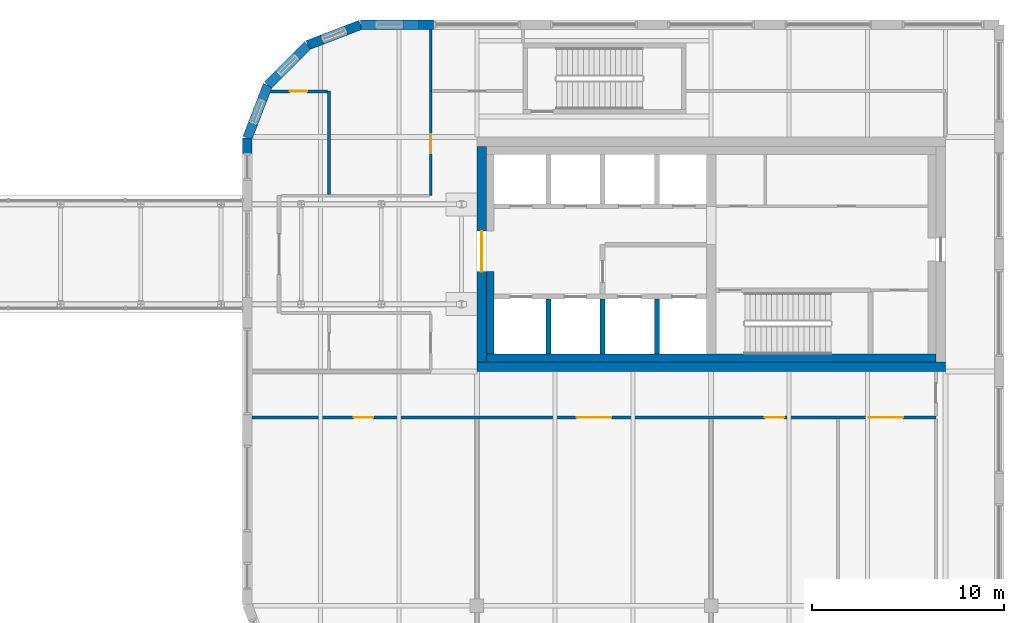
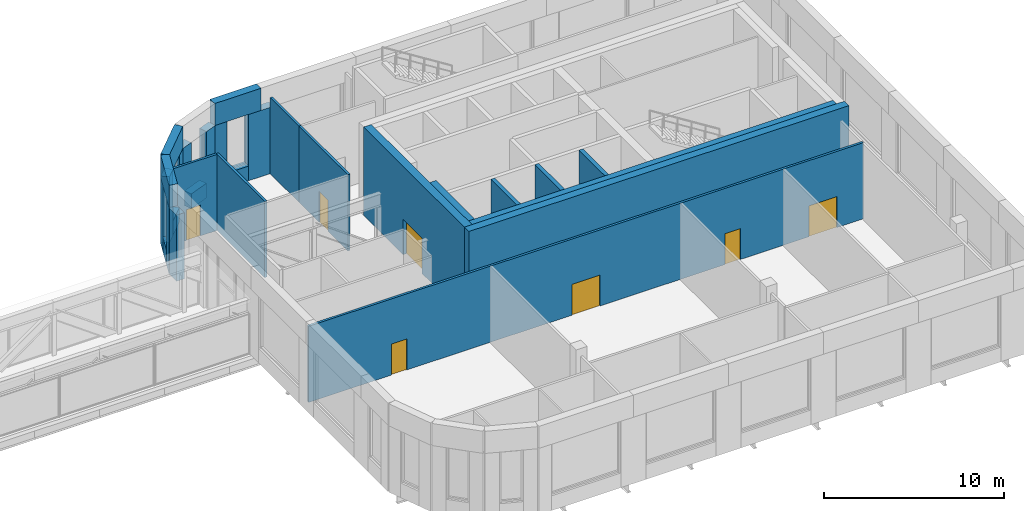
# One storey, part 28 of 36: 28 walls, 7 doors, 7 openings.
"""IFC4 building model written with IfcOpenShell, lengths in metres."""

import ifcopenshell
import ifcopenshell.guid

model = None  # the IFC model being written
_history = None  # IfcOwnerHistory: only IFC2X3 demands one
_inside = {}  # id of a spatial element -> (the spatial element, [elements in it])
_under = {}  # id of a project, library or spatial element -> (it, [spatial elements below it])
_declared = {}  # id of a project -> (the project, [libraries it declares])
_typed = {}  # id of a type object -> (the type object, [elements of that type])
_made_of = {}  # id of a material, layer set ... -> (it, [elements and type objects made of it])


def new_model(schema):
    """Start an empty IFC model of exactly this schema.

    Asked for "IFC4X3", IfcOpenShell would pick the latest addendum, in which some entities
    have other attributes; the version numbers below select the first issue.
    IFC2X3 requires an IfcOwnerHistory on every rooted entity: one is made here for all.
    """
    global model, _history
    if schema == "IFC4X3":
        model = ifcopenshell.file(schema_version=(4, 3, 0, 0))
    else:
        model = ifcopenshell.file(schema=schema)
    _inside.clear()
    _under.clear()
    _declared.clear()
    _typed.clear()
    _made_of.clear()
    _history = None
    if model.schema == "IFC2X3":
        org = make("IfcOrganization", Name="unknown")
        user = make(
            "IfcPersonAndOrganization",
            ThePerson=make("IfcPerson", FamilyName="unknown"),
            TheOrganization=org,
        )
        app = make(
            "IfcApplication",
            ApplicationDeveloper=org,
            Version="unknown",
            ApplicationFullName="unknown",
            ApplicationIdentifier="unknown",
        )
        _history = make(
            "IfcOwnerHistory",
            OwningUser=user,
            OwningApplication=app,
            ChangeAction="ADDED",
            CreationDate=0,
        )
    return model


def make(cls, **values):
    """One entity of the class cls with the attributes given. An attribute that is None is left unset."""
    return model.create_entity(
        cls, **{name: value for name, value in values.items() if value is not None}
    )


def rooted(cls, **values):
    """An entity with a GlobalId (a new one), such as an element, a storey or a relation."""
    return make(cls, GlobalId=ifcopenshell.guid.new(), OwnerHistory=_history, **values)


def si_unit(unit_type, name, prefix=None):
    """IfcSIUnit, for example si_unit("LENGTHUNIT", "METRE", prefix="MILLI")."""
    return make("IfcSIUnit", UnitType=unit_type, Prefix=prefix, Name=name)


def assignment(units):
    """IfcUnitAssignment: the units of a project."""
    return None if units is None else make("IfcUnitAssignment", Units=units)


def point(xyz):
    """IfcCartesianPoint."""
    return None if xyz is None else make("IfcCartesianPoint", Coordinates=xyz)


def direction(xyz):
    """IfcDirection."""
    return None if xyz is None else make("IfcDirection", DirectionRatios=xyz)


def frame(location, z_axis=None, x_axis=None):
    """IfcAxis2Placement3D, a coordinate frame: its origin and axes. An axis left out is left unset."""
    return make(
        "IfcAxis2Placement3D",
        Location=point(location),
        Axis=direction(z_axis),
        RefDirection=direction(x_axis),
    )


def frame_2d(location, x_axis=None):
    """IfcAxis2Placement2D, a coordinate frame in the plane: its origin and x axis."""
    return make(
        "IfcAxis2Placement2D", Location=point(location), RefDirection=direction(x_axis)
    )


def origin():
    """The frame at (0, 0, 0) with its axes left unset."""
    return frame((0.0, 0.0, 0.0))


def place(relative_to, where):
    """IfcLocalPlacement: puts the frame where relative to a parent placement (None: the world)."""
    return make(
        "IfcLocalPlacement", PlacementRelTo=relative_to, RelativePlacement=where
    )


def context(
    kind, dimensions, precision=None, world=None, true_north=None, identifier=None
):
    """IfcGeometricRepresentationContext, for example the 3D "Model" context."""
    return make(
        "IfcGeometricRepresentationContext",
        ContextIdentifier=identifier,
        ContextType=kind,
        CoordinateSpaceDimension=dimensions,
        Precision=precision,
        WorldCoordinateSystem=world,
        TrueNorth=true_north,
    )


def subcontext(parent, identifier, kind, view, scale=None):
    """IfcGeometricRepresentationSubContext, for example "Body" below "Model"."""
    return make(
        "IfcGeometricRepresentationSubContext",
        ContextIdentifier=identifier,
        ContextType=kind,
        ParentContext=parent,
        TargetScale=scale,
        TargetView=view,
    )


def project(units=None, contexts=None):
    """IfcProject with its units and contexts."""
    return rooted(
        "IfcProject",
        Name="project",
        RepresentationContexts=contexts,
        UnitsInContext=assignment(units),
    )


def spatial(cls, under=None, at=None, **own):
    """A site, building, storey or space (cls), placed at a placement, below another one or the project."""
    s = rooted(cls, ObjectPlacement=at, **own)
    if under is not None:
        _under.setdefault(under.id(), (under, []))[1].append(s)
    return s


def polyline(points):
    """IfcPolyline through the points."""
    return make("IfcPolyline", Points=[point(p) for p in points])


def profile(cls, at=None, kind="AREA", **sizes):
    """A parametric profile (cls). Its sizes go by their IFC names, for example OverallWidth=200.0."""
    return make(cls, ProfileType=kind, Position=at, **sizes)


def rectangle(**sizes):
    """IfcRectangleProfileDef."""
    return profile("IfcRectangleProfileDef", **sizes)


def outline(outer, holes=None, kind="AREA"):
    """IfcArbitraryClosedProfileDef: a profile drawn as a closed curve; with holes, ...WithVoids."""
    if holes is None:
        return make("IfcArbitraryClosedProfileDef", ProfileType=kind, OuterCurve=outer)
    return make(
        "IfcArbitraryProfileDefWithVoids",
        ProfileType=kind,
        OuterCurve=outer,
        InnerCurves=holes,
    )


def extrude(swept, where, along, depth):
    """IfcExtrudedAreaSolid: the profile swept, set in the frame where, extruded along a direction by depth."""
    return make(
        "IfcExtrudedAreaSolid",
        SweptArea=swept,
        Position=where,
        ExtrudedDirection=direction(along),
        Depth=depth,
    )


def faces_of(points, faces, orient=None, outer=None):
    """IfcFace entities. A face is a list of loops; a loop is a list of indices into points, from 0.

    orient and outer hold one flag for each loop. By default every Orientation is true, the
    first loop of a face is its IfcFaceOuterBound and the others are IfcFaceBound.
    """
    made = []
    for i, loops in enumerate(faces):
        bounds = []
        for j, loop in enumerate(loops):
            is_outer = j == 0 if outer is None else outer[i][j]
            bounds.append(
                make(
                    "IfcFaceOuterBound" if is_outer else "IfcFaceBound",
                    Bound=make("IfcPolyLoop", Polygon=[points[k] for k in loop]),
                    Orientation=True if orient is None else orient[i][j],
                )
            )
        made.append(make("IfcFace", Bounds=bounds))
    return made


def faceted_brep(points, faces, orient=None, outer=None, voids=None):
    """IfcFacetedBrep: a solid bounded by flat faces; with voids (closed shells), ...WithVoids."""
    shared = [point(p) for p in points]
    hull = make("IfcClosedShell", CfsFaces=faces_of(shared, faces, orient, outer))
    if voids is None:
        return make("IfcFacetedBrep", Outer=hull)
    return make(
        "IfcFacetedBrepWithVoids",
        Outer=hull,
        Voids=[
            make(cls, CfsFaces=faces_of(shared, fs, o, b)) for cls, fs, o, b in voids
        ],
    )


def shape(context_of_items, identifier, shape_type, items):
    """IfcShapeRepresentation: the items that make up one representation, for example the "Body"."""
    return make(
        "IfcShapeRepresentation",
        ContextOfItems=context_of_items,
        RepresentationIdentifier=identifier,
        RepresentationType=shape_type,
        Items=items,
    )


def source(mapping_origin, context_of_items, identifier, shape_type, items):
    """IfcRepresentationMap: a shape defined once, which mapped items show again and again."""
    return make(
        "IfcRepresentationMap",
        MappingOrigin=mapping_origin,
        MappedRepresentation=shape(context_of_items, identifier, shape_type, items),
    )


def transform(
    local_origin,
    x_axis=None,
    y_axis=None,
    z_axis=None,
    scale=None,
    scale2=None,
    scale3=None,
    uniform=True,
):
    """IfcCartesianTransformationOperator3D, or its non-uniform kind. x_axis, y_axis, z_axis: its Axis1, 2, 3."""
    if uniform:
        return make(
            "IfcCartesianTransformationOperator3D",
            Axis1=direction(x_axis),
            Axis2=direction(y_axis),
            LocalOrigin=point(local_origin),
            Scale=scale,
            Axis3=direction(z_axis),
        )
    return make(
        "IfcCartesianTransformationOperator3DnonUniform",
        Axis1=direction(x_axis),
        Axis2=direction(y_axis),
        LocalOrigin=point(local_origin),
        Scale=scale,
        Axis3=direction(z_axis),
        Scale2=scale2,
        Scale3=scale3,
    )


def mapped(mapping_source, mapping_target):
    """IfcMappedItem: shows the shape of a source again, moved by a transform."""
    return make(
        "IfcMappedItem", MappingSource=mapping_source, MappingTarget=mapping_target
    )


def material(Name=None, Category=None):
    """IfcMaterial."""
    return make("IfcMaterial", Name=Name, Category=Category)


def layer(
    of_material, thickness, ventilated=None, Name=None, Category=None, Priority=None
):
    """IfcMaterialLayer: one layer of a wall or slab, of a material (None: an air gap)."""
    return make(
        "IfcMaterialLayer",
        Material=of_material,
        LayerThickness=thickness,
        IsVentilated=ventilated,
        Name=Name,
        Category=Category,
        Priority=Priority,
    )


def layer_set(layers, Name=None):
    """IfcMaterialLayerSet."""
    return make("IfcMaterialLayerSet", MaterialLayers=layers, LayerSetName=Name)


def made_of(thing, what):
    """Note that an element or type object is made of a material, layer set ...; save() writes the relation."""
    if what is not None:
        _made_of.setdefault(what.id(), (what, []))[1].append(thing)
    return thing


def type_object(cls, material=None, **own):
    """A type object (cls), such as IfcWallType, which elements share."""
    return made_of(rooted(cls, **own), material)


def element(
    cls,
    number,
    at=None,
    inside=None,
    cuts=None,
    type_object=None,
    material=None,
    context=None,
    identifier="Body",
    shape_type=None,
    held_by="IfcProductDefinitionShape",
    body=None,
    shapes=None,
    **own,
):
    """One element of the class cls, such as IfcWall. Its Tag is "e" and its number.

    at: its placement. inside: the storey or other place that contains it. cuts: it is an
    opening in that element (IfcRelVoidsElement). A single representation is given by context,
    identifier, shape_type and body (its items); several are given by shapes. held_by: the class
    of the entity that holds the representations. save() writes the other relations.
    """
    e = rooted(cls, Tag="e%d" % number, ObjectPlacement=at, **own)
    if body is not None:
        shapes = [shape(context, identifier, shape_type, body)]
    if shapes is not None:
        e.Representation = make(held_by, Representations=shapes)
    if inside is not None:
        _inside.setdefault(inside.id(), (inside, []))[1].append(e)
    if cuts is not None:
        rooted(
            "IfcRelVoidsElement", RelatingBuildingElement=cuts, RelatedOpeningElement=e
        )
    if type_object is not None:
        _typed.setdefault(type_object.id(), (type_object, []))[1].append(e)
    return made_of(e, material)


def fill(opening, filler):
    """IfcRelFillsElement: the door or window that sits in an opening."""
    return rooted(
        "IfcRelFillsElement",
        RelatingOpeningElement=opening,
        RelatedBuildingElement=filler,
    )


def aggregate(whole, parts):
    """IfcRelAggregates: a whole, such as a stair, and the parts it consists of."""
    return rooted("IfcRelAggregates", RelatingObject=whole, RelatedObjects=parts)


def save(model, path):
    """Write the relations noted so far, then the file.

    IfcRelAggregates (storeys below a building ...), IfcRelContainedInSpatialStructure (elements
    in a storey), IfcRelDefinesByType, IfcRelAssociatesMaterial and IfcRelDeclares: one each for
    every whole, place, type object, material and project.
    """
    for whole, parts in _under.values():
        aggregate(whole, parts)
    for where, things in _inside.values():
        rooted(
            "IfcRelContainedInSpatialStructure",
            RelatedElements=things,
            RelatingStructure=where,
        )
    for kind, things in _typed.values():
        rooted("IfcRelDefinesByType", RelatedObjects=things, RelatingType=kind)
    for what, things in _made_of.values():
        rooted("IfcRelAssociatesMaterial", RelatedObjects=things, RelatingMaterial=what)
    for by, libraries in _declared.values():
        rooted("IfcRelDeclares", RelatingContext=by, RelatedDefinitions=libraries)
    model.write(path)


model = new_model("IFC4")

# Units and contexts
model_context = context("Model", 3, precision=1e-05, world=origin(), true_north=direction((0.0, 1.0)))
body_context = subcontext(model_context, "Body", "Model", "MODEL_VIEW")
ifc_project = project(units=[si_unit("LENGTHUNIT", "METRE"), si_unit("AREAUNIT", "SQUARE_METRE"), si_unit("VOLUMEUNIT", "CUBIC_METRE"), si_unit("PLANEANGLEUNIT", "RADIAN"), si_unit("MASSUNIT", "GRAM", prefix="KILO")], contexts=[model_context])

# Site, building, storey
site_placement = place(None, origin())
site = spatial("IfcSite", under=ifc_project, at=site_placement, CompositionType="ELEMENT")
building_placement = place(site_placement, origin())
building = spatial("IfcBuilding", under=site, at=building_placement, Name="Tessera Gate Towers", CompositionType="ELEMENT")
storey_placement = place(building_placement, frame((0.0, 0.0, 106.60009765625)))
storey = spatial("IfcBuildingStorey", under=building, at=storey_placement, Name="L26", CompositionType="ELEMENT", Elevation=106.60009765625)

# Walls
ifc_material_1 = material(Name="Concrete C40/50", Category="concrete")
ifc_layer_1 = layer(ifc_material_1, 0.25)
ifc_layer_set_1 = layer_set([ifc_layer_1], Name="CORE ENCLOSURE WALL 250")
wall_type_1 = type_object("IfcWallType", Name="CORE ENCLOSURE WALL 250", PredefinedType="SOLIDWALL", material=ifc_layer_set_1)
for number, where, z_axis, x_axis, name in (
    (1, (104.14990234375, 37.5, 0.0), (0.0, 0.0, 1.0), (0.0, 1.0, 0.0), "L26 shaft and stair enclosure wall"),
    (2, (101.324951171875, 37.5, 0.0), (0.0, 0.0, 1.0), (0.0, 1.0, 0.0), "L26 shaft and stair enclosure wall"),
    (3, (106.97509765625, 37.5, 0.0), (0.0, 0.0, 1.0), (0.0, 1.0, 0.0), "L26 shaft and stair enclosure wall"),
):
    element("IfcWall", number, at=place(storey_placement, frame(where, z_axis=z_axis, x_axis=x_axis)), inside=storey, type_object=wall_type_1, Name=name, PredefinedType="SOLIDWALL", context=body_context, shape_type="SweptSolid", body=[
        extrude(rectangle(XDim=2.875, YDim=0.25, at=frame_2d((1.4375, 0.0))), origin(), (0.0, 0.0, 1.0), 6.0),
    ])
ifc_material_2 = material(Name="Concrete C50/60", Category="concrete")
ifc_layer_2 = layer(ifc_material_2, 0.5)
ifc_layer_set_2 = layer_set([ifc_layer_2], Name="CORE SHEAR WALL 500 C50/60")
wall_type_2 = type_object("IfcWallType", Name="CORE SHEAR WALL 500 C50/60", PredefinedType="SHEAR", material=ifc_layer_set_2)
wall_1_placement = place(storey_placement, frame((122.0, 36.85009765625, 0.0), z_axis=(0.0, 0.0, 1.0), x_axis=(-1.0, 0.0, 0.0)))
element("IfcWall", 4, at=wall_1_placement, inside=storey, type_object=wall_type_2, Name="Core wall S L26", PredefinedType="SHEAR", context=body_context, shape_type="SweptSolid", body=[
    extrude(rectangle(XDim=24.39990234375, YDim=0.5, at=frame_2d((12.199951171875, 0.0))), origin(), (0.0, 0.0, 1.0), 6.0),
])

# Wall, opening, door
wall_2_placement = place(storey_placement, frame((97.85009765625, 37.10009765625, 0.0), z_axis=(0.0, 0.0, 1.0), x_axis=(0.0, 1.0, 0.0)))
wall_2 = element("IfcWall", 5, at=wall_2_placement, inside=storey, type_object=wall_type_2, Name="Core wall W L26", PredefinedType="SHEAR", context=body_context, shape_type="SweptSolid", body=[
    extrude(rectangle(XDim=11.199951171875, YDim=0.5, at=frame_2d((5.60009765625, 0.0))), origin(), (0.0, 0.0, 1.0), 6.0),
])
shared_shape_1 = source(origin(), body_context, "Body", "SweptSolid", [
    extrude(rectangle(XDim=2.10009765625, YDim=2.39990234375, at=frame_2d((1.050048828125, 1.199951171875))), frame((0.0, 0.260009765625, 0.0), z_axis=(0.0, -1.0, 0.0), x_axis=(1.0, 0.0, 0.0)), (0.0, 0.0, 1.0), 0.52001953125),
])
opening_1_placement = place(wall_2_placement, frame((4.699951171875, 0.0, 0.0)))
opening_1 = element("IfcOpeningElement", 6, at=opening_1_placement, cuts=wall_2, Name="Opening DD-T2-13-01", PredefinedType="OPENING", context=body_context, shape_type="MappedRepresentation", body=[
    mapped(shared_shape_1, transform((0.0, 0.0, 0.0), scale=1.0)),
])
ifc_material_3 = material(Name="Hollow steel fire door", Category="steel")
door_type_1 = type_object("IfcDoorType", Name="CORE DOOR DD 2100x2400", OperationType="NOTDEFINED", PredefinedType="DOOR", material=ifc_material_3)
shared_shape_2 = source(origin(), body_context, "Body", "SweptSolid", [
    extrude(rectangle(XDim=2.10009765625, YDim=2.39990234375, at=frame_2d((1.050048828125, 1.199951171875))), frame((0.0, 0.02490234375, 0.0), z_axis=(0.0, -1.0, 0.0), x_axis=(1.0, 0.0, 0.0)), (0.0, 0.0, 1.0), 0.050048828125),
])
door_1_placement = place(opening_1_placement, origin())
door_1 = element("IfcDoor", 7, at=door_1_placement, inside=storey, type_object=door_type_1, Name="Core entrance door", OperationType="DOUBLE_DOOR_SINGLE_SWING", OverallHeight=2.39990234375, OverallWidth=2.10009765625, PredefinedType="DOOR", context=body_context, shape_type="MappedRepresentation", body=[
    mapped(shared_shape_2, transform((0.0, 0.0, 0.0), scale=1.0)),
])
fill(opening_1, door_1)

# Walls
ifc_material_4 = material(Name="Concrete C50/60", Category="concrete")
ifc_layer_3 = layer(ifc_material_4, 0.39990234375)
ifc_layer_set_3 = layer_set([ifc_layer_3], Name="CORE WALL THICKENING 400")
wall_type_3 = type_object("IfcWallType", Name="CORE WALL THICKENING 400", PredefinedType="SOLIDWALL", material=ifc_layer_set_3)
wall_3_placement = place(storey_placement, frame((98.10009765625, 37.300048828125, 0.0), z_axis=(0.0, 0.0, 1.0), x_axis=(1.0, 0.0, 0.0)))
element("IfcWall", 8, at=wall_3_placement, inside=storey, type_object=wall_type_3, Name="Core wall thickening S L26", PredefinedType="SOLIDWALL", context=body_context, shape_type="SweptSolid", body=[
    extrude(rectangle(XDim=23.39990234375, YDim=0.39990234375, at=frame_2d((11.699951171875, 0.0))), origin(), (0.0, 0.0, 1.0), 6.0),
])
wall_4_placement = place(storey_placement, frame((98.300048828125, 37.5, 0.0), z_axis=(0.0, 0.0, 1.0), x_axis=(0.0, 1.0, 0.0)))
element("IfcWall", 9, at=wall_4_placement, inside=storey, type_object=wall_type_3, Name="Core wall thickening W L26", PredefinedType="SOLIDWALL", context=body_context, shape_type="SweptSolid", body=[
    extrude(rectangle(XDim=4.300048828125, YDim=0.39990234375, at=frame_2d((2.14990234375, 0.0))), origin(), (0.0, 0.0, 1.0), 6.0),
])

# Wall, openings, doors
ifc_material_5 = material(Name="Gypsum board on steel studs, mineral wool", Category="steel")
ifc_layer_4 = layer(ifc_material_5, 0.14990234375)
ifc_layer_set_4 = layer_set([ifc_layer_4], Name="CORRIDOR WALL 150")
wall_type_4 = type_object("IfcWallType", Name="CORRIDOR WALL 150", PredefinedType="PARTITIONING", material=ifc_layer_set_4)
wall_5_placement = place(storey_placement, frame((121.5, 34.199951171875, 0.0), z_axis=(0.0, 0.0, 1.0), x_axis=(-1.0, 0.0, 0.0)))
wall_5 = element("IfcWall", 10, at=wall_5_placement, inside=storey, type_object=wall_type_4, Name="T2-L26-PW-016", PredefinedType="PARTITIONING", context=body_context, shape_type="SweptSolid", body=[
    extrude(rectangle(XDim=35.60009765625, YDim=0.14990234375, at=frame_2d((17.800048828125, 0.0))), origin(), (0.0, 0.0, 1.0), 5.1669921875),
])
shared_shape_3 = source(origin(), body_context, "Body", "SweptSolid", [
    extrude(rectangle(XDim=1.800048828125, YDim=2.10009765625, at=frame_2d((0.89990234375, 1.050048828125))), frame((0.0, 0.0849609375, 0.0), z_axis=(0.0, -1.0, 0.0), x_axis=(1.0, 0.0, 0.0)), (0.0, 0.0, 1.0), 0.169921875),
])
opening_2_placement = place(wall_5_placement, frame((1.698974609375, 0.0, 0.0)))
opening_2 = element("IfcOpeningElement", 11, at=opening_2_placement, cuts=wall_5, Name="Opening D2180FD60-B11-01", PredefinedType="OPENING", context=body_context, shape_type="MappedRepresentation", body=[
    mapped(shared_shape_3, transform((0.0, 0.0, 0.0), scale=1.0)),
])
shared_shape_4 = source(origin(), body_context, "Body", "SweptSolid", [
    extrude(rectangle(XDim=1.0, YDim=2.10009765625, at=frame_2d((0.5, 1.050048828125))), frame((0.0, 0.0849609375, 0.0), z_axis=(0.0, -1.0, 0.0), x_axis=(1.0, 0.0, 0.0)), (0.0, 0.0, 1.0), 0.169921875),
])
opening_3_placement = place(wall_5_placement, frame((7.89892578125, 0.0, 0.0)))
opening_3 = element("IfcOpeningElement", 12, at=opening_3_placement, cuts=wall_5, Name="Opening D2100FD60-B11-02", PredefinedType="OPENING", context=body_context, shape_type="MappedRepresentation", body=[
    mapped(shared_shape_4, transform((0.0, 0.0, 0.0), scale=1.0)),
])
opening_4_placement = place(wall_5_placement, frame((29.300048828125, 0.0, 0.0)))
opening_4 = element("IfcOpeningElement", 13, at=opening_4_placement, cuts=wall_5, Name="Opening D2100FD60-B11-04", PredefinedType="OPENING", context=body_context, shape_type="MappedRepresentation", body=[
    mapped(shared_shape_4, transform((0.0, 0.0, 0.0), scale=1.0)),
])
opening_5_placement = place(wall_5_placement, frame((16.89990234375, 0.0, 0.0)))
opening_5 = element("IfcOpeningElement", 14, at=opening_5_placement, cuts=wall_5, Name="Opening D2180FD60-B11-02", PredefinedType="OPENING", context=body_context, shape_type="MappedRepresentation", body=[
    mapped(shared_shape_3, transform((0.0, 0.0, 0.0), scale=1.0)),
])
ifc_material_6 = material(Name="Timber door leaf in steel frame", Category="steel")
door_type_2 = type_object("IfcDoorType", Name="TENANCY ENTRANCE DOOR 1000 FD60", OperationType="NOTDEFINED", PredefinedType="DOOR", material=ifc_material_6)
shared_shape_5 = source(origin(), body_context, "Body", "SweptSolid", [
    extrude(rectangle(XDim=1.0, YDim=2.10009765625, at=frame_2d((0.5, 1.050048828125))), frame((0.0, 0.02490234375, 0.0), z_axis=(0.0, -1.0, 0.0), x_axis=(1.0, 0.0, 0.0)), (0.0, 0.0, 1.0), 0.050048828125),
])
door_2_placement = place(opening_3_placement, origin())
door_2 = element("IfcDoor", 15, at=door_2_placement, inside=storey, type_object=door_type_2, Name="T2-L26-PD-011", OperationType="SINGLE_SWING_RIGHT", OverallHeight=2.10009765625, OverallWidth=1.0, PredefinedType="DOOR", context=body_context, shape_type="MappedRepresentation", body=[
    mapped(shared_shape_5, transform((0.0, 0.0, 0.0), scale=1.0)),
])
fill(opening_3, door_2)
door_3_placement = place(opening_4_placement, origin())
door_3 = element("IfcDoor", 16, at=door_3_placement, inside=storey, type_object=door_type_2, Name="T2-L26-PD-015", OperationType="SINGLE_SWING_RIGHT", OverallHeight=2.10009765625, OverallWidth=1.0, PredefinedType="DOOR", context=body_context, shape_type="MappedRepresentation", body=[
    mapped(shared_shape_5, transform((0.0, 0.0, 0.0), scale=1.0)),
])
fill(opening_4, door_3)
ifc_material_7 = material(Name="Timber door leaf in steel frame", Category="steel")
door_type_3 = type_object("IfcDoorType", Name="TENANCY ENTRANCE DOUBLE DOOR 1800 FD60", OperationType="NOTDEFINED", PredefinedType="DOOR", material=ifc_material_7)
shared_shape_6 = source(origin(), body_context, "Body", "SweptSolid", [
    extrude(rectangle(XDim=1.800048828125, YDim=2.10009765625, at=frame_2d((0.89990234375, 1.050048828125))), frame((0.0, 0.02490234375, 0.0), z_axis=(0.0, -1.0, 0.0), x_axis=(1.0, 0.0, 0.0)), (0.0, 0.0, 1.0), 0.050048828125),
])
door_4_placement = place(opening_2_placement, origin())
door_4 = element("IfcDoor", 17, at=door_4_placement, inside=storey, type_object=door_type_3, Name="T2-L26-PD-007", OperationType="DOUBLE_DOOR_SINGLE_SWING", OverallHeight=2.10009765625, OverallWidth=1.800048828125, PredefinedType="DOOR", context=body_context, shape_type="MappedRepresentation", body=[
    mapped(shared_shape_6, transform((0.0, 0.0, 0.0), scale=1.0)),
])
fill(opening_2, door_4)
door_5_placement = place(opening_5_placement, origin())
door_5 = element("IfcDoor", 18, at=door_5_placement, inside=storey, type_object=door_type_3, Name="T2-L26-PD-016", OperationType="DOUBLE_DOOR_SINGLE_SWING", OverallHeight=2.10009765625, OverallWidth=1.800048828125, PredefinedType="DOOR", context=body_context, shape_type="MappedRepresentation", body=[
    mapped(shared_shape_6, transform((0.0, 0.0, 0.0), scale=1.0)),
])
fill(opening_5, door_5)

# Wall, opening, door
wall_6_placement = place(storey_placement, frame((95.199951171875, 45.75, 0.0), z_axis=(0.0, 0.0, 1.0), x_axis=(0.0, 1.0, 0.0)))
wall_6 = element("IfcWall", 19, at=wall_6_placement, inside=storey, type_object=wall_type_4, Name="T2-L26-PW-023", PredefinedType="PARTITIONING", context=body_context, shape_type="SweptSolid", body=[
    extrude(rectangle(XDim=5.449951171875, YDim=0.14990234375, at=frame_2d((2.72509765625, 0.0))), origin(), (0.0, 0.0, 1.0), 5.1669921875),
])
opening_6_placement = place(wall_6_placement, frame((2.199951171875, 0.0, 0.0)))
opening_6 = element("IfcOpeningElement", 20, at=opening_6_placement, cuts=wall_6, Name="Opening D2100FD60-B11-01", PredefinedType="OPENING", context=body_context, shape_type="MappedRepresentation", body=[
    mapped(shared_shape_4, transform((0.0, 0.0, 0.0), scale=1.0)),
])
door_6_placement = place(opening_6_placement, origin())
door_6 = element("IfcDoor", 21, at=door_6_placement, inside=storey, type_object=door_type_2, Name="T2-L26-PD-008", OperationType="SINGLE_SWING_LEFT", OverallHeight=2.10009765625, OverallWidth=1.0, PredefinedType="DOOR", context=body_context, shape_type="MappedRepresentation", body=[
    mapped(shared_shape_5, transform((0.0, 0.0, 0.0), scale=1.0)),
])
fill(opening_6, door_6)

# Wall
ifc_material_8 = material(Name="Gypsum board on steel studs, mineral wool", Category="steel")
ifc_layer_5 = layer(ifc_material_8, 0.14990234375)
ifc_layer_set_5 = layer_set([ifc_layer_5], Name="TENANCY WALL 150")
wall_type_5 = type_object("IfcWallType", Name="TENANCY WALL 150", PredefinedType="PARTITIONING", material=ifc_layer_set_5)
wall_7_placement = place(storey_placement, frame((89.89990234375, 45.825927734375, 0.0), z_axis=(0.0, 0.0, 1.0), x_axis=(0.0, 1.0, 0.0)))
element("IfcWall", 22, at=wall_7_placement, inside=storey, type_object=wall_type_5, Name="T2-L26-PW-024", PredefinedType="PARTITIONING", context=body_context, shape_type="SweptSolid", body=[
    extrude(rectangle(XDim=5.3740234375, YDim=0.14990234375, at=frame_2d((2.68701171875, 0.0))), origin(), (0.0, 0.0, 1.0), 5.1669921875),
])

# Wall, opening, door
wall_8_placement = place(storey_placement, frame((89.823974609375, 51.179931640625, 0.0), z_axis=(0.0, 0.0, 1.0), x_axis=(-1.0, 0.0, 0.0)))
wall_8 = element("IfcWall", 23, at=wall_8_placement, inside=storey, type_object=wall_type_5, Name="T2-L26-PW-026", PredefinedType="PARTITIONING", context=body_context, shape_type="SweptSolid", body=[
    extrude(rectangle(XDim=2.962158203125, YDim=0.14990234375, at=frame_2d((1.48095703125, 0.0))), origin(), (0.0, 0.0, 1.0), 5.1669921875),
])
shared_shape_7 = source(origin(), body_context, "Body", "SweptSolid", [
    extrude(rectangle(XDim=0.89990234375, YDim=2.10009765625, at=frame_2d((0.449951171875, 1.050048828125))), frame((0.0, 0.0849609375, 0.0), z_axis=(0.0, -1.0, 0.0), x_axis=(1.0, 0.0, 0.0)), (0.0, 0.0, 1.0), 0.169921875),
])
opening_7_placement = place(wall_8_placement, frame((1.062255859375, 0.0, 0.0)))
opening_7 = element("IfcOpeningElement", 24, at=opening_7_placement, cuts=wall_8, Name="Opening D190-B11-09", PredefinedType="OPENING", context=body_context, shape_type="MappedRepresentation", body=[
    mapped(shared_shape_7, transform((0.0, 0.0, 0.0), scale=1.0)),
])
ifc_material_9 = material(Name="Timber door leaf in steel frame", Category="steel")
door_type_4 = type_object("IfcDoorType", Name="INTERNAL DOOR 900 NOT RATED", OperationType="NOTDEFINED", PredefinedType="DOOR", material=ifc_material_9)
shared_shape_8 = source(origin(), body_context, "Body", "SweptSolid", [
    extrude(rectangle(XDim=0.89990234375, YDim=2.10009765625, at=frame_2d((0.449951171875, 1.050048828125))), frame((0.0, 0.02490234375, 0.0), z_axis=(0.0, -1.0, 0.0), x_axis=(1.0, 0.0, 0.0)), (0.0, 0.0, 1.0), 0.050048828125),
])
door_7_placement = place(opening_7_placement, origin())
door_7 = element("IfcDoor", 25, at=door_7_placement, inside=storey, type_object=door_type_4, Name="T2-L26-PD-014", OperationType="SINGLE_SWING_RIGHT", OverallHeight=2.10009765625, OverallWidth=0.89990234375, PredefinedType="DOOR", context=body_context, shape_type="MappedRepresentation", body=[
    mapped(shared_shape_8, transform((0.0, 0.0, 0.0), scale=1.0)),
])
fill(opening_7, door_7)

# Walls
wall_9_placement = place(storey_placement, frame((95.199951171875, 51.200927734375, 0.0), z_axis=(0.0, 0.0, 1.0), x_axis=(0.0, 1.0, 0.0)))
element("IfcWall", 26, at=wall_9_placement, inside=storey, type_object=wall_type_5, Name="T2-L26-PW-027", PredefinedType="PARTITIONING", context=body_context, shape_type="SweptSolid", body=[
    extrude(rectangle(XDim=3.198974609375, YDim=0.14990234375, at=frame_2d((1.599609375, 0.0))), origin(), (0.0, 0.0, 1.0), 5.1669921875),
])
ifc_material_10 = material(Name="Precast concrete C60/75 white", Category="concrete")
ifc_layer_6 = layer(ifc_material_10, 0.5)
ifc_layer_set_6 = layer_set([ifc_layer_6], Name="RB1 ring band panel")
wall_type_6 = type_object("IfcWallType", Name="RB1 ring band panel", PredefinedType="SOLIDWALL", material=ifc_layer_set_6)
shared_shape_9 = source(origin(), body_context, "Body", "Brep", [
    faceted_brep([(0.0, -0.25, 0.0), (0.800048828125, -0.25, 0.0), (0.800048828125, -0.25, 4.5), (0.0, -0.25, 4.5), (0.046630859375, 0.25, 4.5), (0.800048828125, 0.25, 4.5), (0.800048828125, 0.25, 0.0), (0.046630859375, 0.25, 0.0), (0.0, 0.0, 0.0), (0.0, 0.0, 4.5)], [[[0, 1, 2, 3]], [[4, 5, 6, 7]], [[7, 6, 1, 0, 8]], [[5, 4, 9, 3, 2]], [[8, 0, 3, 9]], [[7, 8, 9, 4]], [[1, 6, 5, 2]]]),
])
for number, where, z_axis, x_axis, name in (
    (27, (91.546630859375, 54.64990234375, 0.0), (0.0, 0.0, 1.0), (-0.933054335486, -0.359735468129, 0.0), "Ring band panel T2 RB1-0080"),
    (28, (85.64990234375, 48.75341796875, 0.0), (0.0, 0.0, 1.0), (0.0, -1.0, 0.0), "Ring band panel T2 RB1-0092"),
):
    element("IfcWall", number, at=place(storey_placement, frame(where, z_axis=z_axis, x_axis=x_axis)), inside=storey, type_object=wall_type_6, Name=name, PredefinedType="SOLIDWALL", context=body_context, shape_type="MappedRepresentation", body=[
        mapped(shared_shape_9, transform((0.0, 0.0, 0.0), scale=1.0)),
    ])
shared_shape_10 = source(origin(), body_context, "Body", "SweptSolid", [
    extrude(outline(polyline([(0.0, 0.0), (1.60009765625, 0.0), (1.60009765625, 4.5), (0.0, 4.5), (0.0, 0.0)])), frame((0.0, 0.25, 0.0), z_axis=(0.0, -1.0, 0.0), x_axis=(1.0, 0.0, 0.0)), (0.0, 0.0, 1.0), 0.5),
])
wall_10_placement = place(storey_placement, frame((95.35009765625, 54.64990234375, 0.0), z_axis=(0.0, 0.0, 1.0), x_axis=(-1.0, 0.0, 0.0)))
element("IfcWall", 29, at=wall_10_placement, inside=storey, type_object=wall_type_6, Name="Ring band panel T2 RB1-0066", PredefinedType="SOLIDWALL", context=body_context, shape_type="MappedRepresentation", body=[
    mapped(shared_shape_10, transform((0.0, 0.0, 0.0), scale=1.0)),
])
shared_shape_11 = source(origin(), body_context, "Body", "Brep", [
    faceted_brep([(0.0, -0.25, 0.0), (0.800048828125, -0.25, 0.0), (0.800048828125, -0.25, 4.5), (0.0, -0.25, 4.5), (0.0, 0.25, 4.5), (0.75341796875, 0.25, 4.5), (0.75341796875, 0.25, 0.0), (0.0, 0.25, 0.0), (0.800048828125, -0.000244140625, 0.0), (0.800048828125, -0.000244140625, 4.5)], [[[0, 1, 2, 3]], [[4, 5, 6, 7]], [[7, 6, 8, 1, 0]], [[9, 2, 1, 8]], [[5, 4, 3, 2, 9]], [[4, 7, 0, 3]], [[8, 6, 5, 9]]]),
])
for number, where, z_axis, x_axis, name in (
    (30, (92.346435546875, 54.64990234375, 0.0), (0.0, 0.0, 1.0), (-1.0, 0.0, 0.0), "Ring band panel T2 RB1-0067"),
    (31, (85.93798828125, 49.499755859375, 0.0), (0.0, 0.0, 1.0), (-0.360103552367, -0.932912338632, 0.0), "Ring band panel T2 RB1-0089"),
):
    element("IfcWall", number, at=place(storey_placement, frame(where, z_axis=z_axis, x_axis=x_axis)), inside=storey, type_object=wall_type_6, Name=name, PredefinedType="SOLIDWALL", context=body_context, shape_type="MappedRepresentation", body=[
        mapped(shared_shape_11, transform((0.0, 0.0, 0.0), scale=1.0)),
    ])
shared_shape_12 = source(origin(), body_context, "Body", "Brep", [
    faceted_brep([(0.0, -0.25, 0.0), (0.800048828125, -0.25, 0.0), (0.800048828125, -0.25, 4.5), (0.0, -0.25, 4.5), (0.0, 0.25, 4.5), (0.7470703125, 0.25, 4.5), (0.7470703125, 0.25, 0.0), (0.0, 0.25, 0.0), (0.800048828125, -0.000244140625, 0.0), (0.800048828125, -0.000244140625, 4.5)], [[[0, 1, 2, 3]], [[4, 5, 6, 7]], [[7, 6, 8, 1, 0]], [[9, 2, 1, 8]], [[5, 4, 3, 2, 9]], [[4, 7, 0, 3]], [[8, 6, 5, 9]]]),
])
wall_11_placement = place(storey_placement, frame((87.277587890625, 52.072021484375, 0.0), z_axis=(0.0, 0.0, 1.0), x_axis=(-0.707106781187, -0.707106781187, 0.0)))
element("IfcWall", 32, at=wall_11_placement, inside=storey, type_object=wall_type_6, Name="Ring band panel T2 RB1-0085", PredefinedType="SOLIDWALL", context=body_context, shape_type="MappedRepresentation", body=[
    mapped(shared_shape_12, transform((0.0, 0.0, 0.0), scale=1.0)),
])
shared_shape_13 = source(origin(), body_context, "Body", "SweptSolid", [
    extrude(outline(polyline([(0.0, 0.0), (1.3505859375, 0.0), (1.3505859375, 1.0), (0.0, 1.0), (0.0, 0.0)])), frame((0.0, 0.25, 0.0), z_axis=(0.0, -1.0, 0.0), x_axis=(1.0, 0.0, 0.0)), (0.0, 0.0, 1.0), 0.5),
])
for number, where, z_axis, x_axis, name in (
    (33, (90.800048828125, 54.362060546875, 0.0), (0.0, 0.0, 1.0), (-0.932981713512, -0.359923772835, 0.0), "Ring band panel T2 RB1-0082"),
    (34, (86.424072265625, 50.759765625, 0.0), (0.0, 0.0, 1.0), (-0.359923772835, -0.932981713512, 0.0), "Ring band panel T2 RB1-0090"),
):
    element("IfcWall", number, at=place(storey_placement, frame(where, z_axis=z_axis, x_axis=x_axis)), inside=storey, type_object=wall_type_6, Name=name, PredefinedType="SOLIDWALL", context=body_context, shape_type="MappedRepresentation", body=[
        mapped(shared_shape_13, transform((0.0, 0.0, 0.0), scale=1.0)),
    ])
shared_shape_14 = source(origin(), body_context, "Body", "Brep", [
    faceted_brep([(0.0, -0.25, 0.0), (0.800048828125, -0.25, 0.0), (0.800048828125, -0.25, 4.5), (0.0, -0.25, 4.5), (0.052978515625, 0.25, 4.5), (0.800048828125, 0.25, 4.5), (0.800048828125, 0.25, 0.0), (0.052978515625, 0.25, 0.0), (0.0, 0.0, 0.0), (0.0, 0.0, 4.5)], [[[0, 1, 2, 3]], [[4, 5, 6, 7]], [[7, 6, 1, 0, 8]], [[5, 4, 9, 3, 2]], [[8, 0, 3, 9]], [[7, 8, 9, 4]], [[1, 6, 5, 2]]]),
])
for number, where, z_axis, x_axis, name in (
    (35, (88.793701171875, 53.588134765625, 0.0), (0.0, 0.0, 1.0), (-0.707106781187, -0.707106781187, 0.0), "Ring band panel T2 RB1-0084"),
    (36, (86.7119140625, 51.50634765625, 0.0), (0.0, 0.0, 1.0), (-0.359735468129, -0.933054335486, 0.0), "Ring band panel T2 RB1-0088"),
):
    element("IfcWall", number, at=place(storey_placement, frame(where, z_axis=z_axis, x_axis=x_axis)), inside=storey, type_object=wall_type_6, Name=name, PredefinedType="SOLIDWALL", context=body_context, shape_type="MappedRepresentation", body=[
        mapped(shared_shape_14, transform((0.0, 0.0, 0.0), scale=1.0)),
    ])
shared_shape_15 = source(origin(), body_context, "Body", "SweptSolid", [
    extrude(outline(polyline([(0.0, 0.0), (1.34423828125, 0.0), (1.34423828125, 1.0), (0.0, 1.0), (0.0, 0.0)])), frame((0.0, 0.25, 0.0), z_axis=(0.0, -1.0, 0.0), x_axis=(1.0, 0.0, 0.0)), (0.0, 0.0, 1.0), 0.5),
])
wall_12_placement = place(storey_placement, frame((88.22802734375, 53.0224609375, 0.0), z_axis=(0.0, 0.0, 1.0), x_axis=(-0.707106781187, -0.707106781187, 0.0)))
element("IfcWall", 37, at=wall_12_placement, inside=storey, type_object=wall_type_6, Name="Ring band panel T2 RB1-0086", PredefinedType="SOLIDWALL", context=body_context, shape_type="MappedRepresentation", body=[
    mapped(shared_shape_15, transform((0.0, 0.0, 0.0), scale=1.0)),
])
shared_shape_16 = source(origin(), body_context, "Body", "Brep", [
    faceted_brep([(0.0, -0.25, 0.0), (2.944091796875, -0.25, 0.0), (2.944091796875, -0.25, 1.5), (0.0, -0.25, 1.5), (0.052978515625, 0.25, 1.5), (2.89111328125, 0.25, 1.5), (2.89111328125, 0.25, 0.0), (0.052978515625, 0.25, 0.0), (2.944091796875, 0.000244140625, 0.0), (0.0, 0.0, 0.0), (2.944091796875, 0.000244140625, 1.5), (0.0, 0.0, 1.5)], [[[0, 1, 2, 3]], [[4, 5, 6, 7]], [[7, 6, 8, 1, 0, 9]], [[10, 2, 1, 8]], [[5, 4, 11, 3, 2, 10]], [[9, 0, 3, 11]], [[7, 9, 11, 4]], [[8, 6, 5, 10]]]),
])
wall_13_placement = place(storey_placement, frame((88.793701171875, 53.588134765625, 4.5), z_axis=(0.0, 0.0, 1.0), x_axis=(-0.707106781187, -0.707106781187, 0.0)))
element("IfcWall", 38, at=wall_13_placement, inside=storey, type_object=wall_type_6, Name="Ring band panel T2 RB1-0087", PredefinedType="SOLIDWALL", context=body_context, shape_type="MappedRepresentation", body=[
    mapped(shared_shape_16, transform((0.0, 0.0, 0.0), scale=1.0)),
])
shared_shape_17 = source(origin(), body_context, "Body", "SweptSolid", [
    extrude(outline(polyline([(0.0, 0.0), (1.403564453125, 0.0), (1.403564453125, 1.0), (0.0, 1.0), (0.0, 0.0)])), frame((0.0, 0.25, 0.0), z_axis=(0.0, -1.0, 0.0), x_axis=(1.0, 0.0, 0.0)), (0.0, 0.0, 1.0), 0.5),
])
wall_14_placement = place(storey_placement, frame((93.75, 54.64990234375, 0.0), z_axis=(0.0, 0.0, 1.0), x_axis=(-1.0, 0.0, 0.0)))
element("IfcWall", 39, at=wall_14_placement, inside=storey, type_object=wall_type_6, Name="Ring band panel T2 RB1-0078", PredefinedType="SOLIDWALL", context=body_context, shape_type="MappedRepresentation", body=[
    mapped(shared_shape_17, transform((0.0, 0.0, 0.0), scale=1.0)),
])
shared_shape_18 = source(origin(), body_context, "Body", "Brep", [
    faceted_brep([(0.0, -0.25, 0.0), (3.00341796875, -0.25, 0.0), (3.00341796875, -0.25, 1.5), (0.0, -0.25, 1.5), (0.0, 0.25, 1.5), (2.956787109375, 0.25, 1.5), (2.956787109375, 0.25, 0.0), (0.0, 0.25, 0.0), (3.00341796875, 0.000244140625, 0.0), (3.00341796875, 0.000244140625, 1.5)], [[[0, 1, 2, 3]], [[4, 5, 6, 7]], [[7, 6, 8, 1, 0]], [[9, 2, 1, 8]], [[5, 4, 3, 2, 9]], [[4, 7, 0, 3]], [[8, 6, 5, 9]]]),
])
wall_15_placement = place(storey_placement, frame((94.550048828125, 54.64990234375, 4.5), z_axis=(0.0, 0.0, 1.0), x_axis=(-1.0, 0.0, 0.0)))
element("IfcWall", 40, at=wall_15_placement, inside=storey, type_object=wall_type_6, Name="Ring band panel T2 RB1-0079", PredefinedType="SOLIDWALL", context=body_context, shape_type="MappedRepresentation", body=[
    mapped(shared_shape_18, transform((0.0, 0.0, 0.0), scale=1.0)),
])
shared_shape_19 = source(origin(), body_context, "Body", "Brep", [
    faceted_brep([(0.0, -0.25, 0.0), (0.800048828125, -0.25, 0.0), (0.800048828125, -0.25, 4.5), (0.0, -0.25, 4.5), (0.0, 0.25, 4.5), (0.7470703125, 0.25, 4.5), (0.7470703125, 0.25, 0.0), (0.0, 0.25, 0.0), (0.800048828125, -0.000244140625, 0.0), (0.800048828125, -0.000244140625, 4.5)], [[[0, 1, 2, 3]], [[4, 5, 6, 7]], [[7, 6, 8, 1, 0]], [[9, 2, 1, 8]], [[5, 4, 3, 2, 9]], [[4, 7, 0, 3]], [[8, 6, 5, 9]]]),
])
wall_16_placement = place(storey_placement, frame((89.5400390625, 53.8759765625, 0.0), z_axis=(0.0, 0.0, 1.0), x_axis=(-0.93301483327, -0.3598379092, 0.0)))
element("IfcWall", 41, at=wall_16_placement, inside=storey, type_object=wall_type_6, Name="Ring band panel T2 RB1-0081", PredefinedType="SOLIDWALL", context=body_context, shape_type="MappedRepresentation", body=[
    mapped(shared_shape_19, transform((0.0, 0.0, 0.0), scale=1.0)),
])
shared_shape_20 = source(origin(), body_context, "Body", "Brep", [
    faceted_brep([(0.0, -0.25, 0.0), (2.950439453125, -0.25, 0.0), (2.950439453125, -0.25, 1.5), (0.0, -0.25, 1.5), (0.052978515625, 0.25, 1.5), (2.904052734375, 0.25, 1.5), (2.904052734375, 0.25, 0.0), (0.052978515625, 0.25, 0.0), (2.950439453125, 0.00048828125, 0.0), (0.0, 0.0, 0.0), (2.950439453125, 0.00048828125, 1.5), (0.0, 0.0, 1.5)], [[[0, 1, 2, 3]], [[4, 5, 6, 7]], [[7, 6, 8, 1, 0, 9]], [[10, 2, 1, 8]], [[5, 4, 11, 3, 2, 10]], [[9, 0, 3, 11]], [[7, 9, 11, 4]], [[8, 6, 5, 10]]]),
])
wall_17_placement = place(storey_placement, frame((86.7119140625, 51.50634765625, 4.5), z_axis=(0.0, 0.0, 1.0), x_axis=(-0.359849431015, -0.933010389544, 0.0)))
element("IfcWall", 42, at=wall_17_placement, inside=storey, type_object=wall_type_6, Name="Ring band panel T2 RB1-0091", PredefinedType="SOLIDWALL", context=body_context, shape_type="MappedRepresentation", body=[
    mapped(shared_shape_20, transform((0.0, 0.0, 0.0), scale=1.0)),
])

save(model, "model.ifc")
